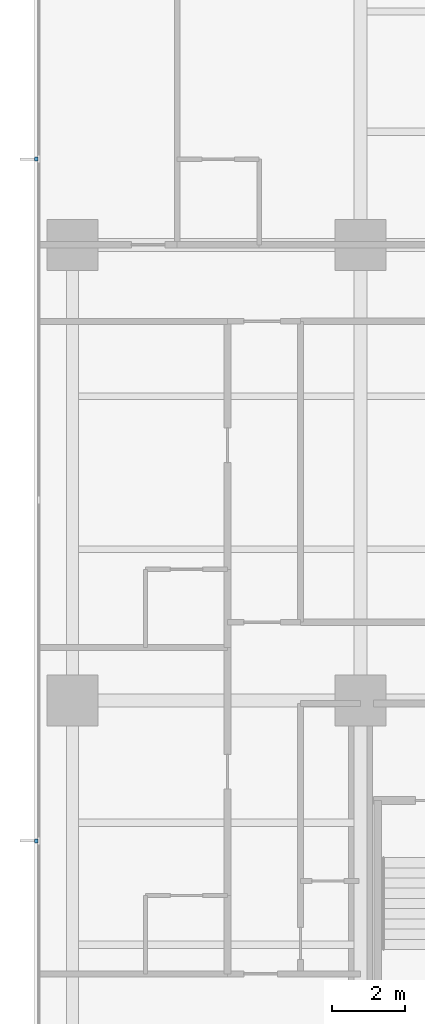
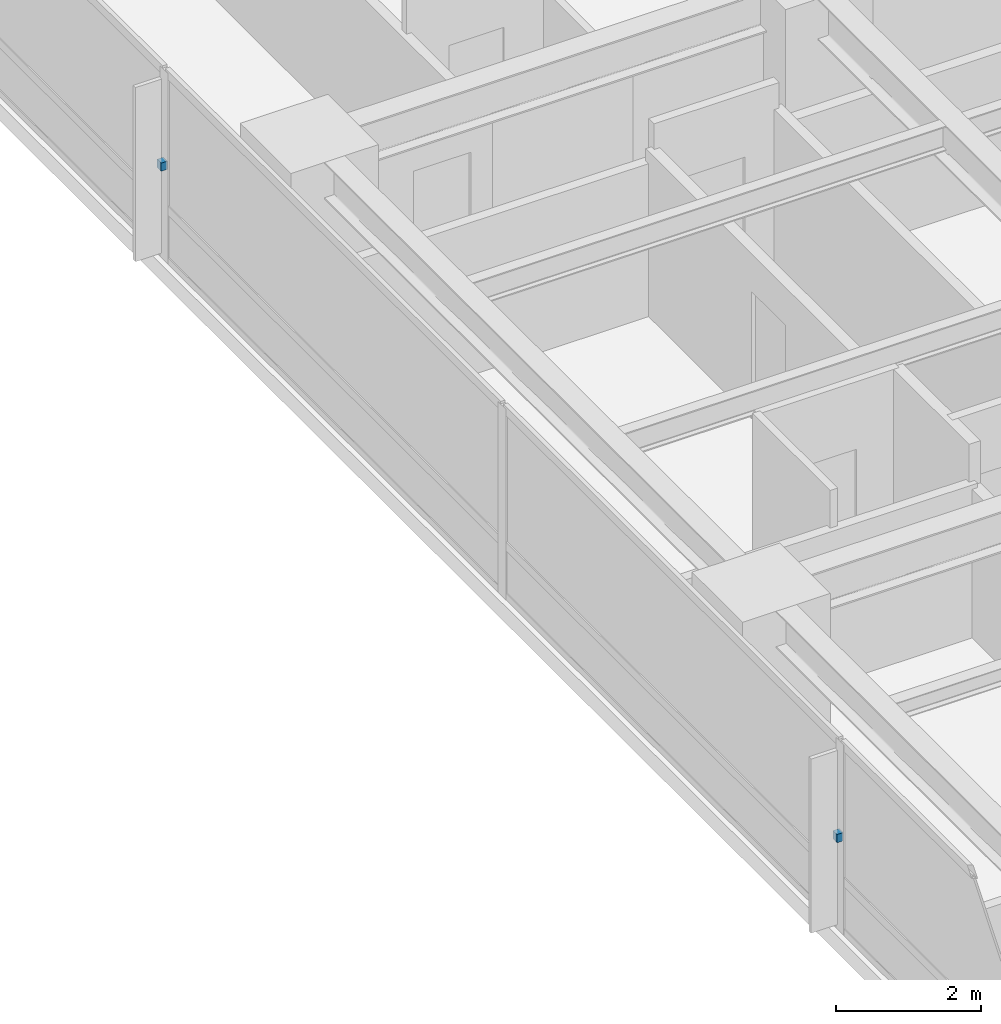
# One storey, part 12 of 16: 2 discrete accessories.
"""IFC4 building model written with IfcOpenShell, lengths in metres."""

from ifc_helpers import new_model, si_unit, direction, frame, origin, place, context, subcontext, project, spatial, polyline, outline, extrude, material, type_object, element, save


model = new_model("IFC4")

# Units and contexts
model_context = context("Model", 3, precision=1e-05, world=origin(), true_north=direction((0.0, 1.0)))
body_context = subcontext(model_context, "Body", "Model", "MODEL_VIEW")
ifc_project = project(units=[si_unit("LENGTHUNIT", "METRE"), si_unit("AREAUNIT", "SQUARE_METRE"), si_unit("VOLUMEUNIT", "CUBIC_METRE"), si_unit("PLANEANGLEUNIT", "RADIAN"), si_unit("MASSUNIT", "GRAM", prefix="KILO")], contexts=[model_context])

# Site, building, storey
site_placement = place(None, origin())
site = spatial("IfcSite", under=ifc_project, at=site_placement, CompositionType="ELEMENT")
building_placement = place(site_placement, origin())
building = spatial("IfcBuilding", under=site, at=building_placement, Name="Qalmaran Belvedere Hotel", CompositionType="ELEMENT")
storey_placement = place(building_placement, frame((0.0, 0.0, 50.89990234375)))
storey = spatial("IfcBuildingStorey", under=building, at=storey_placement, Name="L12", CompositionType="ELEMENT", Elevation=50.89990234375)

# Discrete accessories
ifc_material = material(Name="Stainless Steel 1.4401", Category="steel")
discrete_accessory_type = type_object("IfcDiscreteAccessoryType", Name="BRK-FIN-SS316", PredefinedType="BRACKET", material=ifc_material)
discrete_accessory_1_placement = place(storey_placement, frame((0.0, 0.0, 1.56005859375)))
element("IfcDiscreteAccessory", 1, at=discrete_accessory_1_placement, inside=storey, type_object=discrete_accessory_type, Name="L12 Fin Bracket 1", PredefinedType="BRACKET", context=body_context, shape_type="SweptSolid", body=[
    extrude(outline(polyline([(11.455078125, 35.405029296875), (11.357421875, 35.405029296875), (11.357421875, 35.294921875), (11.455078125, 35.294921875), (11.455078125, 35.405029296875)])), origin(), (0.0, 0.0, 1.0), 0.14013671875),
])
discrete_accessory_2_placement = place(storey_placement, frame((0.0, 0.0, 1.56005859375)))
element("IfcDiscreteAccessory", 2, at=discrete_accessory_2_placement, inside=storey, type_object=discrete_accessory_type, Name="L12 Fin Bracket 3", PredefinedType="BRACKET", context=body_context, shape_type="SweptSolid", body=[
    extrude(outline(polyline([(11.455078125, 16.705078125), (11.357421875, 16.705078125), (11.357421875, 16.594970703125), (11.455078125, 16.594970703125), (11.455078125, 16.705078125)])), origin(), (0.0, 0.0, 1.0), 0.14013671875),
])

save(model, "model.ifc")
